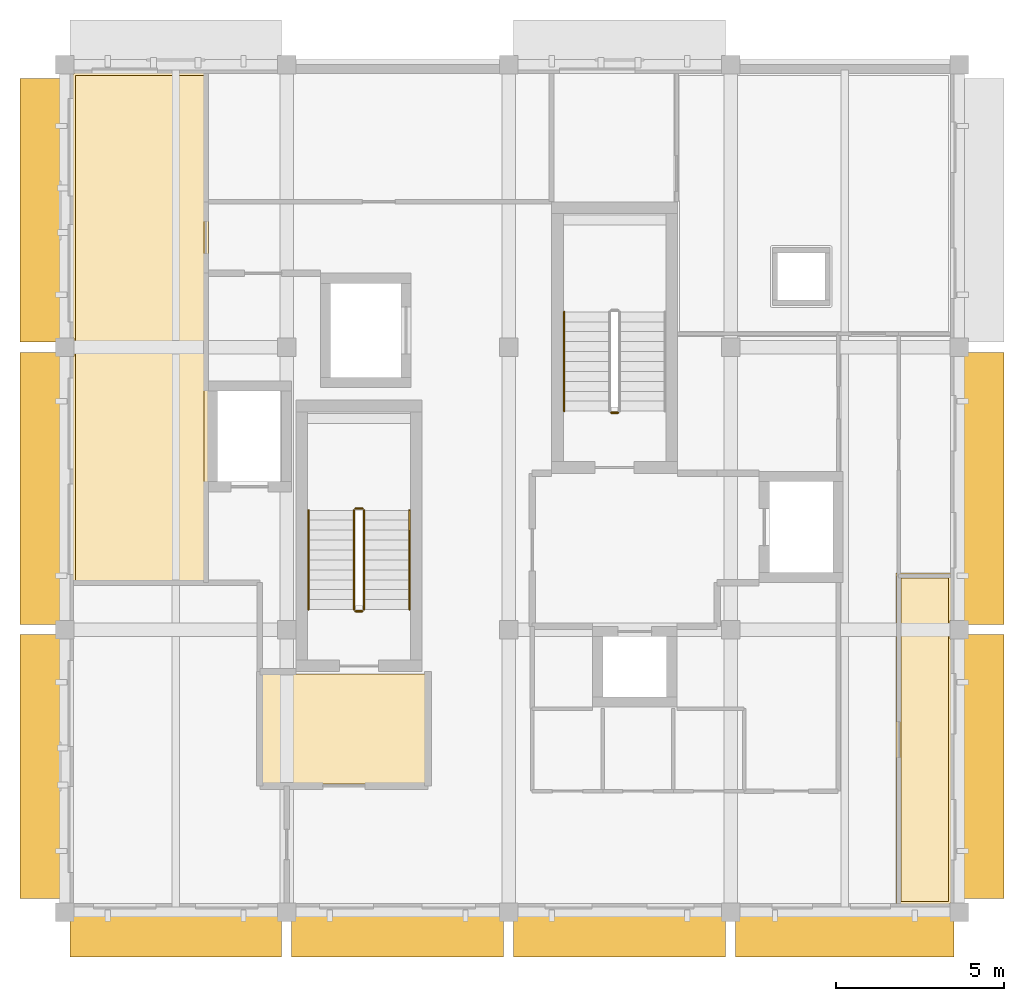
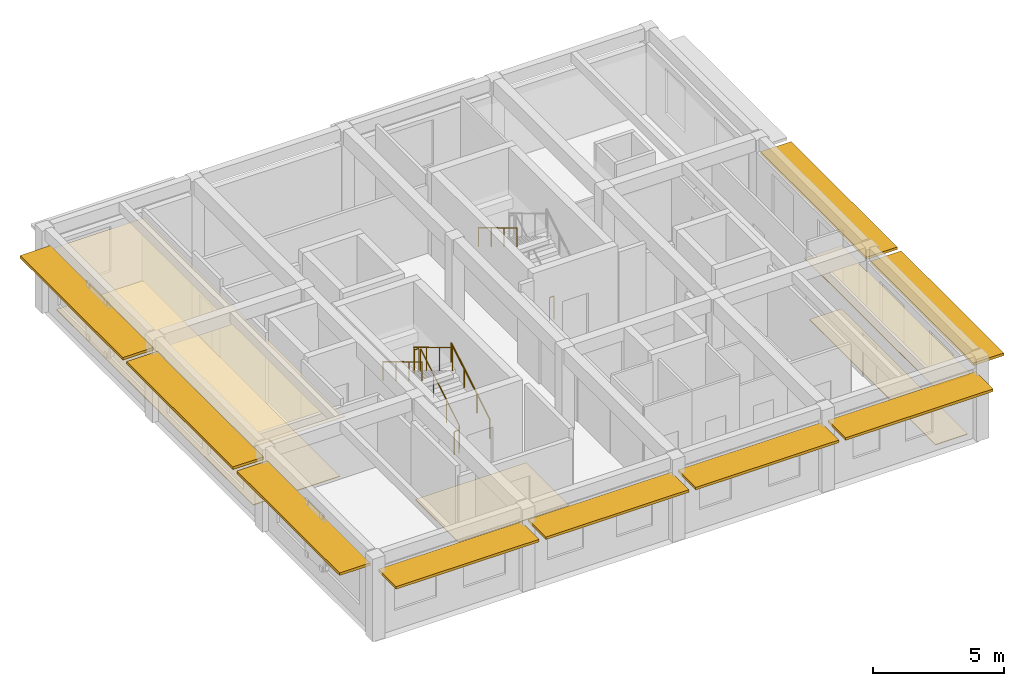
# One storey, part 6 of 7: 9 shading devices, 8 railings, 5 coverings.
"""IFC4 building model written with IfcOpenShell, lengths in metres."""

import ifcopenshell
import ifcopenshell.guid

model = None  # the IFC model being written
_history = None  # IfcOwnerHistory: only IFC2X3 demands one
_inside = {}  # id of a spatial element -> (the spatial element, [elements in it])
_under = {}  # id of a project, library or spatial element -> (it, [spatial elements below it])
_declared = {}  # id of a project -> (the project, [libraries it declares])
_typed = {}  # id of a type object -> (the type object, [elements of that type])
_made_of = {}  # id of a material, layer set ... -> (it, [elements and type objects made of it])


def new_model(schema):
    """Start an empty IFC model of exactly this schema.

    Asked for "IFC4X3", IfcOpenShell would pick the latest addendum, in which some entities
    have other attributes; the version numbers below select the first issue.
    IFC2X3 requires an IfcOwnerHistory on every rooted entity: one is made here for all.
    """
    global model, _history
    if schema == "IFC4X3":
        model = ifcopenshell.file(schema_version=(4, 3, 0, 0))
    else:
        model = ifcopenshell.file(schema=schema)
    _inside.clear()
    _under.clear()
    _declared.clear()
    _typed.clear()
    _made_of.clear()
    _history = None
    if model.schema == "IFC2X3":
        org = make("IfcOrganization", Name="unknown")
        user = make(
            "IfcPersonAndOrganization",
            ThePerson=make("IfcPerson", FamilyName="unknown"),
            TheOrganization=org,
        )
        app = make(
            "IfcApplication",
            ApplicationDeveloper=org,
            Version="unknown",
            ApplicationFullName="unknown",
            ApplicationIdentifier="unknown",
        )
        _history = make(
            "IfcOwnerHistory",
            OwningUser=user,
            OwningApplication=app,
            ChangeAction="ADDED",
            CreationDate=0,
        )
    return model


def make(cls, **values):
    """One entity of the class cls with the attributes given. An attribute that is None is left unset."""
    return model.create_entity(
        cls, **{name: value for name, value in values.items() if value is not None}
    )


def rooted(cls, **values):
    """An entity with a GlobalId (a new one), such as an element, a storey or a relation."""
    return make(cls, GlobalId=ifcopenshell.guid.new(), OwnerHistory=_history, **values)


def si_unit(unit_type, name, prefix=None):
    """IfcSIUnit, for example si_unit("LENGTHUNIT", "METRE", prefix="MILLI")."""
    return make("IfcSIUnit", UnitType=unit_type, Prefix=prefix, Name=name)


def assignment(units):
    """IfcUnitAssignment: the units of a project."""
    return None if units is None else make("IfcUnitAssignment", Units=units)


def point(xyz):
    """IfcCartesianPoint."""
    return None if xyz is None else make("IfcCartesianPoint", Coordinates=xyz)


def direction(xyz):
    """IfcDirection."""
    return None if xyz is None else make("IfcDirection", DirectionRatios=xyz)


def frame(location, z_axis=None, x_axis=None):
    """IfcAxis2Placement3D, a coordinate frame: its origin and axes. An axis left out is left unset."""
    return make(
        "IfcAxis2Placement3D",
        Location=point(location),
        Axis=direction(z_axis),
        RefDirection=direction(x_axis),
    )


def frame_2d(location, x_axis=None):
    """IfcAxis2Placement2D, a coordinate frame in the plane: its origin and x axis."""
    return make(
        "IfcAxis2Placement2D", Location=point(location), RefDirection=direction(x_axis)
    )


def origin():
    """The frame at (0, 0, 0) with its axes left unset."""
    return frame((0.0, 0.0, 0.0))


def origin_2d():
    """The frame at (0, 0) in the plane with its x axis left unset."""
    return frame_2d((0.0, 0.0))


def place(relative_to, where):
    """IfcLocalPlacement: puts the frame where relative to a parent placement (None: the world)."""
    return make(
        "IfcLocalPlacement", PlacementRelTo=relative_to, RelativePlacement=where
    )


def context(
    kind, dimensions, precision=None, world=None, true_north=None, identifier=None
):
    """IfcGeometricRepresentationContext, for example the 3D "Model" context."""
    return make(
        "IfcGeometricRepresentationContext",
        ContextIdentifier=identifier,
        ContextType=kind,
        CoordinateSpaceDimension=dimensions,
        Precision=precision,
        WorldCoordinateSystem=world,
        TrueNorth=true_north,
    )


def subcontext(parent, identifier, kind, view, scale=None):
    """IfcGeometricRepresentationSubContext, for example "Body" below "Model"."""
    return make(
        "IfcGeometricRepresentationSubContext",
        ContextIdentifier=identifier,
        ContextType=kind,
        ParentContext=parent,
        TargetScale=scale,
        TargetView=view,
    )


def project(units=None, contexts=None):
    """IfcProject with its units and contexts."""
    return rooted(
        "IfcProject",
        Name="project",
        RepresentationContexts=contexts,
        UnitsInContext=assignment(units),
    )


def spatial(cls, under=None, at=None, **own):
    """A site, building, storey or space (cls), placed at a placement, below another one or the project."""
    s = rooted(cls, ObjectPlacement=at, **own)
    if under is not None:
        _under.setdefault(under.id(), (under, []))[1].append(s)
    return s


def polyline(points):
    """IfcPolyline through the points."""
    return make("IfcPolyline", Points=[point(p) for p in points])


def profile(cls, at=None, kind="AREA", **sizes):
    """A parametric profile (cls). Its sizes go by their IFC names, for example OverallWidth=200.0."""
    return make(cls, ProfileType=kind, Position=at, **sizes)


def rectangle(**sizes):
    """IfcRectangleProfileDef."""
    return profile("IfcRectangleProfileDef", **sizes)


def circle(**sizes):
    """IfcCircleProfileDef."""
    return profile("IfcCircleProfileDef", **sizes)


def outline(outer, holes=None, kind="AREA"):
    """IfcArbitraryClosedProfileDef: a profile drawn as a closed curve; with holes, ...WithVoids."""
    if holes is None:
        return make("IfcArbitraryClosedProfileDef", ProfileType=kind, OuterCurve=outer)
    return make(
        "IfcArbitraryProfileDefWithVoids",
        ProfileType=kind,
        OuterCurve=outer,
        InnerCurves=holes,
    )


def extrude(swept, where, along, depth):
    """IfcExtrudedAreaSolid: the profile swept, set in the frame where, extruded along a direction by depth."""
    return make(
        "IfcExtrudedAreaSolid",
        SweptArea=swept,
        Position=where,
        ExtrudedDirection=direction(along),
        Depth=depth,
    )


def shape(context_of_items, identifier, shape_type, items):
    """IfcShapeRepresentation: the items that make up one representation, for example the "Body"."""
    return make(
        "IfcShapeRepresentation",
        ContextOfItems=context_of_items,
        RepresentationIdentifier=identifier,
        RepresentationType=shape_type,
        Items=items,
    )


def material(Name=None, Category=None):
    """IfcMaterial."""
    return make("IfcMaterial", Name=Name, Category=Category)


def layer(
    of_material, thickness, ventilated=None, Name=None, Category=None, Priority=None
):
    """IfcMaterialLayer: one layer of a wall or slab, of a material (None: an air gap)."""
    return make(
        "IfcMaterialLayer",
        Material=of_material,
        LayerThickness=thickness,
        IsVentilated=ventilated,
        Name=Name,
        Category=Category,
        Priority=Priority,
    )


def layer_set(layers, Name=None):
    """IfcMaterialLayerSet."""
    return make("IfcMaterialLayerSet", MaterialLayers=layers, LayerSetName=Name)


def made_of(thing, what):
    """Note that an element or type object is made of a material, layer set ...; save() writes the relation."""
    if what is not None:
        _made_of.setdefault(what.id(), (what, []))[1].append(thing)
    return thing


def type_object(cls, material=None, **own):
    """A type object (cls), such as IfcWallType, which elements share."""
    return made_of(rooted(cls, **own), material)


def element(
    cls,
    number,
    at=None,
    inside=None,
    cuts=None,
    type_object=None,
    material=None,
    context=None,
    identifier="Body",
    shape_type=None,
    held_by="IfcProductDefinitionShape",
    body=None,
    shapes=None,
    **own,
):
    """One element of the class cls, such as IfcWall. Its Tag is "e" and its number.

    at: its placement. inside: the storey or other place that contains it. cuts: it is an
    opening in that element (IfcRelVoidsElement). A single representation is given by context,
    identifier, shape_type and body (its items); several are given by shapes. held_by: the class
    of the entity that holds the representations. save() writes the other relations.
    """
    e = rooted(cls, Tag="e%d" % number, ObjectPlacement=at, **own)
    if body is not None:
        shapes = [shape(context, identifier, shape_type, body)]
    if shapes is not None:
        e.Representation = make(held_by, Representations=shapes)
    if inside is not None:
        _inside.setdefault(inside.id(), (inside, []))[1].append(e)
    if cuts is not None:
        rooted(
            "IfcRelVoidsElement", RelatingBuildingElement=cuts, RelatedOpeningElement=e
        )
    if type_object is not None:
        _typed.setdefault(type_object.id(), (type_object, []))[1].append(e)
    return made_of(e, material)


def aggregate(whole, parts):
    """IfcRelAggregates: a whole, such as a stair, and the parts it consists of."""
    return rooted("IfcRelAggregates", RelatingObject=whole, RelatedObjects=parts)


def save(model, path):
    """Write the relations noted so far, then the file.

    IfcRelAggregates (storeys below a building ...), IfcRelContainedInSpatialStructure (elements
    in a storey), IfcRelDefinesByType, IfcRelAssociatesMaterial and IfcRelDeclares: one each for
    every whole, place, type object, material and project.
    """
    for whole, parts in _under.values():
        aggregate(whole, parts)
    for where, things in _inside.values():
        rooted(
            "IfcRelContainedInSpatialStructure",
            RelatedElements=things,
            RelatingStructure=where,
        )
    for kind, things in _typed.values():
        rooted("IfcRelDefinesByType", RelatedObjects=things, RelatingType=kind)
    for what, things in _made_of.values():
        rooted("IfcRelAssociatesMaterial", RelatedObjects=things, RelatingMaterial=what)
    for by, libraries in _declared.values():
        rooted("IfcRelDeclares", RelatingContext=by, RelatedDefinitions=libraries)
    model.write(path)


model = new_model("IFC4")

# Units and contexts
model_context = context("Model", 3, precision=1e-05, world=origin(), true_north=direction((0.0, 1.0)))
body_context = subcontext(model_context, "Body", "Model", "MODEL_VIEW")
ifc_project = project(units=[si_unit("LENGTHUNIT", "METRE"), si_unit("AREAUNIT", "SQUARE_METRE"), si_unit("VOLUMEUNIT", "CUBIC_METRE"), si_unit("PLANEANGLEUNIT", "RADIAN"), si_unit("MASSUNIT", "GRAM", prefix="KILO")], contexts=[model_context])

# Site, building, storey
site_placement = place(None, origin())
site = spatial("IfcSite", under=ifc_project, at=site_placement, CompositionType="ELEMENT")
building_placement = place(site_placement, origin())
building = spatial("IfcBuilding", under=site, at=building_placement, Name="Kolvaren Faculty of Natural Sciences", CompositionType="ELEMENT")
storey_placement = place(building_placement, frame((0.0, 0.0, 40.5)))
storey = spatial("IfcBuildingStorey", under=building, at=storey_placement, Name="L09", CompositionType="ELEMENT", Elevation=40.5)

# Coverings
ifc_material_1 = material(Name="Perforated mineral-fibre acoustic suspended ceiling tile")
ifc_layer_1 = layer(ifc_material_1, 0.02490234375)
ifc_layer_set_1 = layer_set([ifc_layer_1], Name="Perforated mineral-fibre acoustic suspended ceiling tile")
covering_type_1 = type_object("IfcCoveringType", Name="AcousticSuspendedCeiling_25", PredefinedType="CEILING", material=ifc_layer_set_1)
covering_1_placement = place(storey_placement, frame((0.0, 0.0, 2.824951171875)))
element("IfcCovering", 1, at=covering_1_placement, inside=storey, type_object=covering_type_1, Name="L09 L09 Interdisciplinary Seminar Classroom acoustic ceiling", PredefinedType="CEILING", context=body_context, shape_type="SweptSolid", body=[
    extrude(outline(polyline([(145.6201171875, 68.719970703125), (145.6201171875, 75.52490234375), (145.675048828125, 75.52490234375), (145.675048828125, 76.074951171875), (145.6201171875, 76.074951171875), (145.6201171875, 83.925048828125), (145.675048828125, 83.925048828125), (145.675048828125, 83.97998046875), (149.679931640625, 83.97998046875), (149.679931640625, 68.719970703125), (145.6201171875, 68.719970703125)])), origin(), (0.0, 0.0, 1.0), 0.025146484375),
])
covering_2_placement = place(storey_placement, frame((0.0, 0.0, 2.824951171875)))
element("IfcCovering", 2, at=covering_2_placement, inside=storey, type_object=covering_type_1, Name="L09 L09 Departmental Reference Library acoustic ceiling", PredefinedType="CEILING", context=body_context, shape_type="SweptSolid", body=[
    extrude(outline(polyline([(171.780029296875, 69.080078125), (171.780029296875, 67.675048828125), (171.72509765625, 67.675048828125), (171.72509765625, 67.125), (171.780029296875, 67.125), (171.780029296875, 59.27490234375), (171.72509765625, 59.27490234375), (171.72509765625, 59.219970703125), (170.1201171875, 59.219970703125), (170.1201171875, 69.080078125), (171.780029296875, 69.080078125)])), origin(), (0.0, 0.0, 1.0), 0.025146484375),
])

# Shading devices
ifc_material_2 = material(Name="Precast concrete C35/45", Category="concrete")
ifc_layer_2 = layer(ifc_material_2, 0.1201171875)
ifc_layer_set_2 = layer_set([ifc_layer_2], Name="Precast concrete C35/45")
shading_device_type = type_object("IfcShadingDeviceType", Name="ChhajjaSolarHood_1350", PredefinedType="AWNING", material=ifc_layer_set_2)
shading_device_1_placement = place(storey_placement, frame((172.655029296875, 71.60009765625, 3.044921875), z_axis=(0.0, 0.0, 1.0), x_axis=(0.0, -1.0, 0.0)))
element("IfcShadingDevice", 3, at=shading_device_1_placement, inside=storey, type_object=shading_device_type, Name="L09 precast sandstone chhajja solar hood 203", PredefinedType="AWNING", context=body_context, shape_type="SweptSolid", body=[
    extrude(rectangle(XDim=8.10009765625, YDim=1.35009765625, at=origin_2d()), origin(), (0.0, 0.0, 1.0), 0.1201171875),
])
for number, where, z_axis, x_axis, name in (
    (4, (172.655029296875, 63.330078125, 3.044921875), (0.0, 0.0, 1.0), (0.0, -1.0, 0.0), "L09 precast sandstone chhajja solar hood 204"),
    (5, (144.7451171875, 63.330078125, 3.044921875), (0.0, 0.0, 1.0), (0.0, 1.0, 0.0), "L09 precast sandstone chhajja solar hood 207"),
):
    element("IfcShadingDevice", number, at=place(storey_placement, frame(where, z_axis=z_axis, x_axis=x_axis)), inside=storey, type_object=shading_device_type, Name=name, PredefinedType="AWNING", context=body_context, shape_type="SweptSolid", body=[
        extrude(rectangle(XDim=7.840087890625, YDim=1.35009765625, at=origin_2d()), origin(), (0.0, 0.0, 1.0), 0.1201171875),
    ])
shading_device_2_placement = place(storey_placement, frame((144.7451171875, 71.60009765625, 3.044921875), z_axis=(0.0, 0.0, 1.0), x_axis=(0.0, 1.0, 0.0)))
element("IfcShadingDevice", 6, at=shading_device_2_placement, inside=storey, type_object=shading_device_type, Name="L09 precast sandstone chhajja solar hood 208", PredefinedType="AWNING", context=body_context, shape_type="SweptSolid", body=[
    extrude(rectangle(XDim=8.10009765625, YDim=1.35009765625, at=origin_2d()), origin(), (0.0, 0.0, 1.0), 0.1201171875),
])
shading_device_3_placement = place(storey_placement, frame((144.7451171875, 79.8701171875, 3.044921875), z_axis=(0.0, 0.0, 1.0), x_axis=(0.0, 1.0, 0.0)))
element("IfcShadingDevice", 7, at=shading_device_3_placement, inside=storey, type_object=shading_device_type, Name="L09 precast sandstone chhajja solar hood 209", PredefinedType="AWNING", context=body_context, shape_type="SweptSolid", body=[
    extrude(rectangle(XDim=7.840087890625, YDim=1.35009765625, at=origin_2d()), origin(), (0.0, 0.0, 1.0), 0.1201171875),
])
shading_device_4_placement = place(storey_placement, frame((168.60009765625, 58.344970703125, 2.94482421875), z_axis=(0.0, 0.0, 1.0), x_axis=(-1.0, 0.0, 0.0)))
element("IfcShadingDevice", 8, at=shading_device_4_placement, inside=storey, type_object=shading_device_type, Name="L09 precast sandstone chhajja solar hood 210", PredefinedType="AWNING", context=body_context, shape_type="SweptSolid", body=[
    extrude(rectangle(XDim=6.5, YDim=1.35009765625, at=origin_2d()), origin(), (0.0, 0.0, 1.0), 0.1201171875),
])
for number, where, z_axis, x_axis, name in (
    (9, (161.89990234375, 58.344970703125, 2.94482421875), (0.0, 0.0, 1.0), (-1.0, 0.0, 0.0), "L09 precast sandstone chhajja solar hood 211"),
    (10, (155.300048828125, 58.344970703125, 2.94482421875), (0.0, 0.0, 1.0), (-1.0, 0.0, 0.0), "L09 precast sandstone chhajja solar hood 212"),
    (11, (148.699951171875, 58.344970703125, 2.94482421875), (0.0, 0.0, 1.0), (-1.0, 0.0, 0.0), "L09 precast sandstone chhajja solar hood 213"),
):
    element("IfcShadingDevice", number, at=place(storey_placement, frame(where, z_axis=z_axis, x_axis=x_axis)), inside=storey, type_object=shading_device_type, Name=name, PredefinedType="AWNING", context=body_context, shape_type="SweptSolid", body=[
        extrude(rectangle(XDim=6.300048828125, YDim=1.35009765625, at=origin_2d()), origin(), (0.0, 0.0, 1.0), 0.1201171875),
    ])

# Railings
ifc_material_3 = material(Name="Structural steel EN 10210-1 S355J2H", Category="steel")
ifc_layer_3 = layer(ifc_material_3, 0.048095703125)
ifc_layer_set_3 = layer_set([ifc_layer_3], Name="Structural steel EN 10210-1 S355J2H")
railing_type_1 = type_object("IfcRailingType", Name="StairPitchHandrail_920", PredefinedType="HANDRAIL", material=ifc_layer_set_3)
railing_1_placement = place(storey_placement, frame((160.25, 76.85009765625, 2.127197265625)))
element("IfcRailing", 12, at=railing_1_placement, inside=storey, type_object=railing_type_1, Name="L09 ST-1 stair handrail 2", PredefinedType="HANDRAIL", context=body_context, shape_type="SweptSolid", body=[
    extrude(circle(Radius=0.02392578125, at=origin_2d()), frame((0.0, 0.0, 0.8759765625), z_axis=(0.0, -0.85716102882, 0.515048512931), x_axis=(1.0, 0.0, 0.0)), (0.0, 0.0, 1.0), 3.44189453125),
    extrude(circle(Radius=0.02099609375, at=origin_2d()), origin(), (0.0, 0.0, 1.0), 0.851806640625),
    extrude(circle(Radius=0.02099609375, at=origin_2d()), frame((0.0, -0.9833984375, 0.5908203125)), (0.0, 0.0, 1.0), 0.851806640625),
    extrude(circle(Radius=0.02099609375, at=origin_2d()), frame((0.0, -1.966796875, 1.181884765625)), (0.0, 0.0, 1.0), 0.851806640625),
    extrude(circle(Radius=0.02099609375, at=origin_2d()), frame((0.0, -2.9501953125, 1.772705078125)), (0.0, 0.0, 1.0), 0.851806640625),
])
railing_2_placement = place(storey_placement, frame((155.64990234375, 68.0, 0.17724609375)))
element("IfcRailing", 13, at=railing_2_placement, inside=storey, type_object=railing_type_1, Name="L09 ST-2 stair handrail 1", PredefinedType="HANDRAIL", context=body_context, shape_type="SweptSolid", body=[
    extrude(circle(Radius=0.02392578125, at=origin_2d()), frame((0.0, 0.0, 0.8759765625), z_axis=(0.0, 0.857142210208, 0.515079830201), x_axis=(-1.0, 0.0, 0.0)), (0.0, 0.0, 1.0), 3.441650390625),
    extrude(circle(Radius=0.02099609375, at=origin_2d()), origin(), (0.0, 0.0, 1.0), 0.851806640625),
    extrude(circle(Radius=0.02099609375, at=origin_2d()), frame((0.0, 0.9833984375, 0.5908203125)), (0.0, 0.0, 1.0), 0.851806640625),
    extrude(circle(Radius=0.02099609375, at=origin_2d()), frame((0.0, 1.966552734375, 1.181884765625)), (0.0, 0.0, 1.0), 0.851806640625),
    extrude(circle(Radius=0.02099609375, at=origin_2d()), frame((0.0, 2.949951171875, 1.772705078125)), (0.0, 0.0, 1.0), 0.851806640625),
])
railing_3_placement = place(storey_placement, frame((152.64990234375, 70.949951171875, 2.127197265625)))
element("IfcRailing", 14, at=railing_3_placement, inside=storey, type_object=railing_type_1, Name="L09 ST-2 stair handrail 2", PredefinedType="HANDRAIL", context=body_context, shape_type="SweptSolid", body=[
    extrude(circle(Radius=0.02392578125, at=origin_2d()), frame((0.0, 0.0, 0.8759765625), z_axis=(0.0, -0.857142210208, 0.515079830201), x_axis=(1.0, 0.0, 0.0)), (0.0, 0.0, 1.0), 3.441650390625),
    extrude(circle(Radius=0.02099609375, at=origin_2d()), origin(), (0.0, 0.0, 1.0), 0.851806640625),
    extrude(circle(Radius=0.02099609375, at=origin_2d()), frame((0.0, -0.9833984375, 0.5908203125)), (0.0, 0.0, 1.0), 0.851806640625),
    extrude(circle(Radius=0.02099609375, at=origin_2d()), frame((0.0, -1.966552734375, 1.181884765625)), (0.0, 0.0, 1.0), 0.851806640625),
    extrude(circle(Radius=0.02099609375, at=origin_2d()), frame((0.0, -2.949951171875, 1.772705078125)), (0.0, 0.0, 1.0), 0.851806640625),
])
ifc_layer_4 = layer(ifc_material_3, 0.048095703125)
ifc_layer_set_4 = layer_set([ifc_layer_4], Name="Structural steel EN 10210-1 S355J2H")
railing_type_2 = type_object("IfcRailingType", Name="StairWellGuard_1100", PredefinedType="BALUSTRADE", material=ifc_layer_set_4)
railing_4_placement = place(storey_placement, frame((161.85009765625, 73.85009765625, 0.0)))
element("IfcRailing", 15, at=railing_4_placement, inside=storey, type_object=railing_type_2, Name="L09 ST-1 stair guard 4", PredefinedType="BALUSTRADE", context=body_context, shape_type="SweptSolid", body=[
    extrude(circle(Radius=0.02392578125, at=origin_2d()), frame((0.0, 0.0, 1.076171875), z_axis=(-1.0, 0.0, 0.0), x_axis=(0.0, -1.0, 0.0)), (0.0, 0.0, 1.0), 0.2001953125),
    extrude(circle(Radius=0.02099609375, at=origin_2d()), origin(), (0.0, 0.0, 1.0), 1.052001953125),
    extrude(circle(Radius=0.02099609375, at=origin_2d()), frame((-0.2001953125, 0.0, 0.0)), (0.0, 0.0, 1.0), 1.052001953125),
])
railing_5_placement = place(storey_placement, frame((154.300048828125, 68.0, 0.17724609375)))
element("IfcRailing", 16, at=railing_5_placement, inside=storey, type_object=railing_type_2, Name="L09 ST-2 stair guard 1", PredefinedType="BALUSTRADE", context=body_context, shape_type="SweptSolid", body=[
    extrude(circle(Radius=0.02392578125, at=origin_2d()), frame((0.0, 0.0, 1.076171875), z_axis=(0.0, 0.857142210208, 0.515079830201), x_axis=(-1.0, 0.0, 0.0)), (0.0, 0.0, 1.0), 3.441650390625),
    extrude(circle(Radius=0.02099609375, at=origin_2d()), origin(), (0.0, 0.0, 1.0), 1.052001953125),
    extrude(circle(Radius=0.02099609375, at=origin_2d()), frame((0.0, 0.9833984375, 0.5908203125)), (0.0, 0.0, 1.0), 1.052001953125),
    extrude(circle(Radius=0.02099609375, at=origin_2d()), frame((0.0, 1.966552734375, 1.181884765625)), (0.0, 0.0, 1.0), 1.052001953125),
    extrude(circle(Radius=0.02099609375, at=origin_2d()), frame((0.0, 2.949951171875, 1.772705078125)), (0.0, 0.0, 1.0), 1.052001953125),
])
railing_6_placement = place(storey_placement, frame((154.25, 71.0, 1.949951171875)))
element("IfcRailing", 17, at=railing_6_placement, inside=storey, type_object=railing_type_2, Name="L09 ST-2 stair guard 2", PredefinedType="BALUSTRADE", context=body_context, shape_type="SweptSolid", body=[
    extrude(circle(Radius=0.02392578125, at=origin_2d()), frame((0.0, 0.0, 1.076171875), z_axis=(-1.0, 0.0, 0.0), x_axis=(0.0, -1.0, 0.0)), (0.0, 0.0, 1.0), 0.199951171875),
    extrude(circle(Radius=0.02099609375, at=origin_2d()), origin(), (0.0, 0.0, 1.0), 1.052001953125),
    extrude(circle(Radius=0.02099609375, at=origin_2d()), frame((-0.199951171875, 0.0, 0.0)), (0.0, 0.0, 1.0), 1.052001953125),
])
railing_7_placement = place(storey_placement, frame((154.0, 70.949951171875, 2.127197265625)))
element("IfcRailing", 18, at=railing_7_placement, inside=storey, type_object=railing_type_2, Name="L09 ST-2 stair guard 3", PredefinedType="BALUSTRADE", context=body_context, shape_type="SweptSolid", body=[
    extrude(circle(Radius=0.02392578125, at=origin_2d()), frame((0.0, 0.0, 1.076171875), z_axis=(0.0, -0.857142210208, 0.515079830201), x_axis=(1.0, 0.0, 0.0)), (0.0, 0.0, 1.0), 3.441650390625),
    extrude(circle(Radius=0.02099609375, at=origin_2d()), origin(), (0.0, 0.0, 1.0), 1.052001953125),
    extrude(circle(Radius=0.02099609375, at=origin_2d()), frame((0.0, -0.9833984375, 0.5908203125)), (0.0, 0.0, 1.0), 1.052001953125),
    extrude(circle(Radius=0.02099609375, at=origin_2d()), frame((0.0, -1.966552734375, 1.181884765625)), (0.0, 0.0, 1.0), 1.052001953125),
    extrude(circle(Radius=0.02099609375, at=origin_2d()), frame((0.0, -2.949951171875, 1.772705078125)), (0.0, 0.0, 1.0), 1.052001953125),
])
railing_8_placement = place(storey_placement, frame((154.25, 67.949951171875, 0.0)))
element("IfcRailing", 19, at=railing_8_placement, inside=storey, type_object=railing_type_2, Name="L09 ST-2 stair guard 4", PredefinedType="BALUSTRADE", context=body_context, shape_type="SweptSolid", body=[
    extrude(circle(Radius=0.02392578125, at=origin_2d()), frame((0.0, 0.0, 1.076171875), z_axis=(-1.0, 0.0, 0.0), x_axis=(0.0, -1.0, 0.0)), (0.0, 0.0, 1.0), 0.199951171875),
    extrude(circle(Radius=0.02099609375, at=origin_2d()), origin(), (0.0, 0.0, 1.0), 1.052001953125),
    extrude(circle(Radius=0.02099609375, at=origin_2d()), frame((-0.199951171875, 0.0, 0.0)), (0.0, 0.0, 1.0), 1.052001953125),
])

# Coverings
ifc_material_4 = material(Name="Polished Uruguayan grey granite terrazzo flooring", Category="masonry")
ifc_layer_5 = layer(ifc_material_4, 0.030029296875)
ifc_layer_set_5 = layer_set([ifc_layer_5], Name="Polished Uruguayan grey granite terrazzo flooring")
covering_type_2 = type_object("IfcCoveringType", Name="TerrazzoFloorFinish_30", PredefinedType="FLOORING", material=ifc_layer_set_5)
covering_3_placement = place(storey_placement, origin())
element("IfcCovering", 20, at=covering_3_placement, inside=storey, type_object=covering_type_2, Name="L09 L09 Firefighting Rescue Lobby CORE-C2 floor finish", PredefinedType="FLOORING", context=body_context, shape_type="SweptSolid", body=[
    extrude(outline(polyline([(156.139892578125, 66.090087890625), (156.139892578125, 62.81005859375), (151.260009765625, 62.81005859375), (151.260009765625, 66.090087890625), (156.139892578125, 66.090087890625)])), origin(), (0.0, 0.0, 1.0), 0.030029296875),
])
covering_4_placement = place(storey_placement, origin())
element("IfcCovering", 21, at=covering_4_placement, inside=storey, type_object=covering_type_2, Name="L09 L09 Interdisciplinary Seminar Classroom floor finish", PredefinedType="FLOORING", context=body_context, shape_type="SweptSolid", body=[
    extrude(outline(polyline([(145.719970703125, 83.8798828125), (149.5400390625, 83.8798828125), (149.5400390625, 68.860107421875), (145.719970703125, 68.860107421875), (145.719970703125, 83.8798828125)])), origin(), (0.0, 0.0, 1.0), 0.030029296875),
])
covering_5_placement = place(storey_placement, origin())
element("IfcCovering", 22, at=covering_5_placement, inside=storey, type_object=covering_type_2, Name="L09 L09 Departmental Reference Library floor finish", PredefinedType="FLOORING", context=body_context, shape_type="SweptSolid", body=[
    extrude(outline(polyline([(171.679931640625, 59.320068359375), (170.260009765625, 59.320068359375), (170.260009765625, 68.93994140625), (171.679931640625, 68.93994140625), (171.679931640625, 59.320068359375)])), origin(), (0.0, 0.0, 1.0), 0.030029296875),
])

save(model, "model.ifc")
